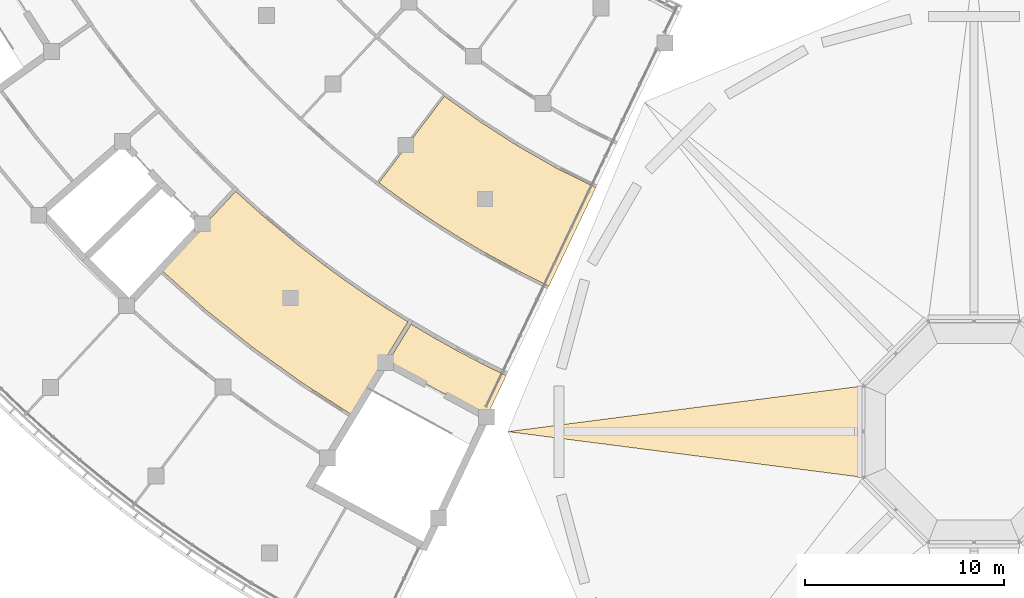
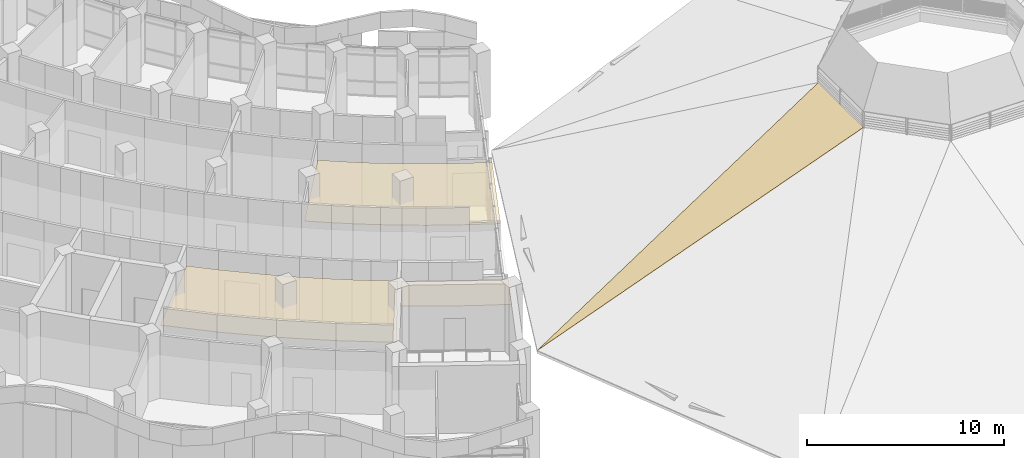
# One storey, part 114 of 137: 4 coverings.
"""IFC4 building model written with IfcOpenShell, lengths in metres."""

import ifcopenshell
import ifcopenshell.guid

model = None  # the IFC model being written
_history = None  # IfcOwnerHistory: only IFC2X3 demands one
_inside = {}  # id of a spatial element -> (the spatial element, [elements in it])
_under = {}  # id of a project, library or spatial element -> (it, [spatial elements below it])
_declared = {}  # id of a project -> (the project, [libraries it declares])
_typed = {}  # id of a type object -> (the type object, [elements of that type])
_made_of = {}  # id of a material, layer set ... -> (it, [elements and type objects made of it])


def new_model(schema):
    """Start an empty IFC model of exactly this schema.

    Asked for "IFC4X3", IfcOpenShell would pick the latest addendum, in which some entities
    have other attributes; the version numbers below select the first issue.
    IFC2X3 requires an IfcOwnerHistory on every rooted entity: one is made here for all.
    """
    global model, _history
    if schema == "IFC4X3":
        model = ifcopenshell.file(schema_version=(4, 3, 0, 0))
    else:
        model = ifcopenshell.file(schema=schema)
    _inside.clear()
    _under.clear()
    _declared.clear()
    _typed.clear()
    _made_of.clear()
    _history = None
    if model.schema == "IFC2X3":
        org = make("IfcOrganization", Name="unknown")
        user = make(
            "IfcPersonAndOrganization",
            ThePerson=make("IfcPerson", FamilyName="unknown"),
            TheOrganization=org,
        )
        app = make(
            "IfcApplication",
            ApplicationDeveloper=org,
            Version="unknown",
            ApplicationFullName="unknown",
            ApplicationIdentifier="unknown",
        )
        _history = make(
            "IfcOwnerHistory",
            OwningUser=user,
            OwningApplication=app,
            ChangeAction="ADDED",
            CreationDate=0,
        )
    return model


def make(cls, **values):
    """One entity of the class cls with the attributes given. An attribute that is None is left unset."""
    return model.create_entity(
        cls, **{name: value for name, value in values.items() if value is not None}
    )


def rooted(cls, **values):
    """An entity with a GlobalId (a new one), such as an element, a storey or a relation."""
    return make(cls, GlobalId=ifcopenshell.guid.new(), OwnerHistory=_history, **values)


def si_unit(unit_type, name, prefix=None):
    """IfcSIUnit, for example si_unit("LENGTHUNIT", "METRE", prefix="MILLI")."""
    return make("IfcSIUnit", UnitType=unit_type, Prefix=prefix, Name=name)


def assignment(units):
    """IfcUnitAssignment: the units of a project."""
    return None if units is None else make("IfcUnitAssignment", Units=units)


def point(xyz):
    """IfcCartesianPoint."""
    return None if xyz is None else make("IfcCartesianPoint", Coordinates=xyz)


def direction(xyz):
    """IfcDirection."""
    return None if xyz is None else make("IfcDirection", DirectionRatios=xyz)


def frame(location, z_axis=None, x_axis=None):
    """IfcAxis2Placement3D, a coordinate frame: its origin and axes. An axis left out is left unset."""
    return make(
        "IfcAxis2Placement3D",
        Location=point(location),
        Axis=direction(z_axis),
        RefDirection=direction(x_axis),
    )


def origin():
    """The frame at (0, 0, 0) with its axes left unset."""
    return frame((0.0, 0.0, 0.0))


def place(relative_to, where):
    """IfcLocalPlacement: puts the frame where relative to a parent placement (None: the world)."""
    return make(
        "IfcLocalPlacement", PlacementRelTo=relative_to, RelativePlacement=where
    )


def context(
    kind, dimensions, precision=None, world=None, true_north=None, identifier=None
):
    """IfcGeometricRepresentationContext, for example the 3D "Model" context."""
    return make(
        "IfcGeometricRepresentationContext",
        ContextIdentifier=identifier,
        ContextType=kind,
        CoordinateSpaceDimension=dimensions,
        Precision=precision,
        WorldCoordinateSystem=world,
        TrueNorth=true_north,
    )


def subcontext(parent, identifier, kind, view, scale=None):
    """IfcGeometricRepresentationSubContext, for example "Body" below "Model"."""
    return make(
        "IfcGeometricRepresentationSubContext",
        ContextIdentifier=identifier,
        ContextType=kind,
        ParentContext=parent,
        TargetScale=scale,
        TargetView=view,
    )


def project(units=None, contexts=None):
    """IfcProject with its units and contexts."""
    return rooted(
        "IfcProject",
        Name="project",
        RepresentationContexts=contexts,
        UnitsInContext=assignment(units),
    )


def spatial(cls, under=None, at=None, **own):
    """A site, building, storey or space (cls), placed at a placement, below another one or the project."""
    s = rooted(cls, ObjectPlacement=at, **own)
    if under is not None:
        _under.setdefault(under.id(), (under, []))[1].append(s)
    return s


def polyline(points):
    """IfcPolyline through the points."""
    return make("IfcPolyline", Points=[point(p) for p in points])


def outline(outer, holes=None, kind="AREA"):
    """IfcArbitraryClosedProfileDef: a profile drawn as a closed curve; with holes, ...WithVoids."""
    if holes is None:
        return make("IfcArbitraryClosedProfileDef", ProfileType=kind, OuterCurve=outer)
    return make(
        "IfcArbitraryProfileDefWithVoids",
        ProfileType=kind,
        OuterCurve=outer,
        InnerCurves=holes,
    )


def extrude(swept, where, along, depth):
    """IfcExtrudedAreaSolid: the profile swept, set in the frame where, extruded along a direction by depth."""
    return make(
        "IfcExtrudedAreaSolid",
        SweptArea=swept,
        Position=where,
        ExtrudedDirection=direction(along),
        Depth=depth,
    )


def shape(context_of_items, identifier, shape_type, items):
    """IfcShapeRepresentation: the items that make up one representation, for example the "Body"."""
    return make(
        "IfcShapeRepresentation",
        ContextOfItems=context_of_items,
        RepresentationIdentifier=identifier,
        RepresentationType=shape_type,
        Items=items,
    )


def material(Name=None, Category=None):
    """IfcMaterial."""
    return make("IfcMaterial", Name=Name, Category=Category)


def layer(
    of_material, thickness, ventilated=None, Name=None, Category=None, Priority=None
):
    """IfcMaterialLayer: one layer of a wall or slab, of a material (None: an air gap)."""
    return make(
        "IfcMaterialLayer",
        Material=of_material,
        LayerThickness=thickness,
        IsVentilated=ventilated,
        Name=Name,
        Category=Category,
        Priority=Priority,
    )


def layer_set(layers, Name=None):
    """IfcMaterialLayerSet."""
    return make("IfcMaterialLayerSet", MaterialLayers=layers, LayerSetName=Name)


def made_of(thing, what):
    """Note that an element or type object is made of a material, layer set ...; save() writes the relation."""
    if what is not None:
        _made_of.setdefault(what.id(), (what, []))[1].append(thing)
    return thing


def type_object(cls, material=None, **own):
    """A type object (cls), such as IfcWallType, which elements share."""
    return made_of(rooted(cls, **own), material)


def element(
    cls,
    number,
    at=None,
    inside=None,
    cuts=None,
    type_object=None,
    material=None,
    context=None,
    identifier="Body",
    shape_type=None,
    held_by="IfcProductDefinitionShape",
    body=None,
    shapes=None,
    **own,
):
    """One element of the class cls, such as IfcWall. Its Tag is "e" and its number.

    at: its placement. inside: the storey or other place that contains it. cuts: it is an
    opening in that element (IfcRelVoidsElement). A single representation is given by context,
    identifier, shape_type and body (its items); several are given by shapes. held_by: the class
    of the entity that holds the representations. save() writes the other relations.
    """
    e = rooted(cls, Tag="e%d" % number, ObjectPlacement=at, **own)
    if body is not None:
        shapes = [shape(context, identifier, shape_type, body)]
    if shapes is not None:
        e.Representation = make(held_by, Representations=shapes)
    if inside is not None:
        _inside.setdefault(inside.id(), (inside, []))[1].append(e)
    if cuts is not None:
        rooted(
            "IfcRelVoidsElement", RelatingBuildingElement=cuts, RelatedOpeningElement=e
        )
    if type_object is not None:
        _typed.setdefault(type_object.id(), (type_object, []))[1].append(e)
    return made_of(e, material)


def aggregate(whole, parts):
    """IfcRelAggregates: a whole, such as a stair, and the parts it consists of."""
    return rooted("IfcRelAggregates", RelatingObject=whole, RelatedObjects=parts)


def save(model, path):
    """Write the relations noted so far, then the file.

    IfcRelAggregates (storeys below a building ...), IfcRelContainedInSpatialStructure (elements
    in a storey), IfcRelDefinesByType, IfcRelAssociatesMaterial and IfcRelDeclares: one each for
    every whole, place, type object, material and project.
    """
    for whole, parts in _under.values():
        aggregate(whole, parts)
    for where, things in _inside.values():
        rooted(
            "IfcRelContainedInSpatialStructure",
            RelatedElements=things,
            RelatingStructure=where,
        )
    for kind, things in _typed.values():
        rooted("IfcRelDefinesByType", RelatedObjects=things, RelatingType=kind)
    for what, things in _made_of.values():
        rooted("IfcRelAssociatesMaterial", RelatedObjects=things, RelatingMaterial=what)
    for by, libraries in _declared.values():
        rooted("IfcRelDeclares", RelatingContext=by, RelatedDefinitions=libraries)
    model.write(path)


model = new_model("IFC4")

# Units and contexts
model_context = context("Model", 3, precision=1e-05, world=origin(), true_north=direction((0.0, 1.0)))
body_context = subcontext(model_context, "Body", "Model", "MODEL_VIEW")
ifc_project = project(units=[si_unit("LENGTHUNIT", "METRE"), si_unit("AREAUNIT", "SQUARE_METRE"), si_unit("VOLUMEUNIT", "CUBIC_METRE"), si_unit("PLANEANGLEUNIT", "RADIAN"), si_unit("MASSUNIT", "GRAM", prefix="KILO")], contexts=[model_context])

# Site, building, storey
site_placement = place(None, origin())
site = spatial("IfcSite", under=ifc_project, at=site_placement, CompositionType="ELEMENT")
building_placement = place(site_placement, origin())
building = spatial("IfcBuilding", under=site, at=building_placement, Name="Bougainvillea Quay General Hospital", CompositionType="ELEMENT")
storey_placement = place(building_placement, frame((0.0, 0.0, 16.800048828125)))
storey = spatial("IfcBuildingStorey", under=building, at=storey_placement, Name="L03", CompositionType="ELEMENT", Elevation=16.800048828125)

# Coverings
ifc_material_1 = material(Name="Standing seam zinc-titanium roofing, grey")
ifc_layer_1 = layer(ifc_material_1, 0.0400390625)
ifc_layer_set_1 = layer_set([ifc_layer_1], Name="Standing seam zinc-titanium roofing, grey")
covering_type_1 = type_object("IfcCoveringType", Name="Standing seam metal roofing RP1 40", PredefinedType="ROOFING", material=ifc_layer_set_1)
covering_1_placement = place(storey_placement, frame((85.820068359375, 74.0, 0.0), z_axis=(-0.450475782911, 0.0, 0.892788647447), x_axis=(0.886951424039, 0.114164949243, 0.447530485844)))
element("IfcCovering", 1, at=covering_1_placement, inside=storey, type_object=covering_type_1, Name="Roof covering RP108", PredefinedType="ROOFING", context=body_context, shape_type="SweptSolid", body=[
    extrude(outline(polyline([(0.0, 0.0), (20.110361829373563, 2.220446049250313e-16), (19.58613957220703, -4.561774826353334), (0.0, 0.0)])), origin(), (-0.447530485844, 0.051428544891, -0.892788647447), 0.0400390625),
])
ifc_material_2 = material(Name="Mineral fibre ceiling tile")
ifc_layer_2 = layer(ifc_material_2, 0.030029296875)
ifc_layer_set_2 = layer_set([ifc_layer_2], Name="Mineral fibre ceiling tile")
covering_type_2 = type_object("IfcCoveringType", Name="Suspended ceiling mineral fibre tile", PredefinedType="CEILING", material=ifc_layer_set_2)
covering_2_placement = place(storey_placement, frame((0.0, 0.0, 2.699951171875)))
element("IfcCovering", 2, at=covering_2_placement, inside=storey, type_object=covering_type_2, Name="Ceiling Smoke-proof Vestibule ST-W1", PredefinedType="CEILING", context=body_context, shape_type="SweptSolid", body=[
    extrude(outline(polyline([(85.780029296875, 76.89892578125), (85.73583984375, 76.809326171875), (84.586181640625, 77.376220703125), (84.585205078125, 77.3740234375), (84.49755859375, 77.419921875), (84.4091796875, 77.463623046875), (84.41015625, 77.4658203125), (83.36083984375, 78.01611328125), (83.359619140625, 78.013916015625), (83.2734375, 78.06201171875), (83.18603515625, 78.10791015625), (83.187255859375, 78.110107421875), (82.152587890625, 78.686279296875), (82.151123046875, 78.68408203125), (82.066162109375, 78.734375), (81.97998046875, 78.7822265625), (81.981201171875, 78.784423828125), (80.962158203125, 79.38671875), (79.819091796875, 77.507568359375), (80.970703125, 76.82666015625), (82.2265625, 76.126953125), (83.500244140625, 75.459228515625), (84.7900390625, 74.8232421875), (85.780029296875, 76.89892578125)])), origin(), (0.0, 0.0, 1.0), 0.030029296875),
])
covering_3_placement = place(storey_placement, frame((0.0, 0.0, 2.699951171875)))
element("IfcCovering", 3, at=covering_3_placement, inside=storey, type_object=covering_type_2, Name="Ceiling Ophthalmic  Surgery Waiting Hall 03W101", PredefinedType="CEILING", context=body_context, shape_type="SweptSolid", body=[
    extrude(outline(polyline([(68.398193359375, 82.14697265625), (70.657470703125, 80.115234375), (73.0322265625, 78.2197265625), (75.501220703125, 76.447998046875), (78.014892578125, 74.830078125), (79.5859375, 77.4130859375), (79.5439453125, 77.437744140625), (79.543701171875, 77.439453125), (79.645751953125, 77.60986328125), (79.64697265625, 77.609375), (80.80419921875, 79.511962890625), (79.78125, 80.152587890625), (79.7802734375, 80.151123046875), (79.655517578125, 80.231201171875), (79.656494140625, 80.232666015625), (78.8359375, 80.77294921875), (78.8349609375, 80.771728515625), (78.712158203125, 80.8544921875), (78.713134765625, 80.85595703125), (77.732421875, 81.53369140625), (77.7314453125, 81.5322265625), (77.610595703125, 81.617919921875), (77.61181640625, 81.619384765625), (76.648681640625, 82.321533203125), (76.6474609375, 82.31982421875), (76.5888671875, 82.364990234375), (76.529296875, 82.40869140625), (76.530517578125, 82.41015625), (75.289306640625, 83.368408203125), (75.28759765625, 83.366455078125), (75.23095703125, 83.41357421875), (75.1728515625, 83.45849609375), (75.174560546875, 83.460693359375), (73.517578125, 84.840087890625), (73.515625, 84.838134765625), (73.4609375, 84.88720703125), (73.404296875, 84.934326171875), (73.40625, 84.9365234375), (72.167236328125, 86.05126953125), (70.582275390625, 84.347900390625), (70.509033203125, 84.415771484375), (68.398193359375, 82.14697265625)])), origin(), (0.0, 0.0, 1.0), 0.030029296875),
])
covering_4_placement = place(storey_placement, frame((0.0, 0.0, 2.699951171875)))
element("IfcCovering", 4, at=covering_4_placement, inside=storey, type_object=covering_type_2, Name="Ceiling Mental Health Outpatient Waiting Hall 03W101", PredefinedType="CEILING", context=body_context, shape_type="SweptSolid", body=[
    extrude(outline(polyline([(90.26611328125, 86.303955078125), (90.232666015625, 86.23681640625), (88.2978515625, 87.199462890625), (88.295654296875, 87.195556640625), (88.232666015625, 87.23193359375), (88.16748046875, 87.26416015625), (88.16943359375, 87.26806640625), (86.357421875, 88.308349609375), (86.35546875, 88.305419921875), (86.2939453125, 88.344970703125), (86.230712890625, 88.38134765625), (86.232421875, 88.384521484375), (84.476318359375, 89.514404296875), (84.47412109375, 89.51123046875), (84.414794921875, 89.553955078125), (84.353271484375, 89.593505859375), (84.35546875, 89.5966796875), (82.658203125, 90.814453125), (82.65576171875, 90.8115234375), (82.6376953125, 90.825927734375), (79.3515625, 86.485107421875), (80.427734375, 85.69189453125), (81.443115234375, 84.986083984375), (82.4765625, 84.30517578125), (83.52587890625, 83.650146484375), (84.592041015625, 83.022216796875), (86.40380859375, 82.03759765625), (87.87939453125, 81.2998046875), (90.26611328125, 86.303955078125)])), origin(), (0.0, 0.0, 1.0), 0.030029296875),
])

save(model, "model.ifc")
